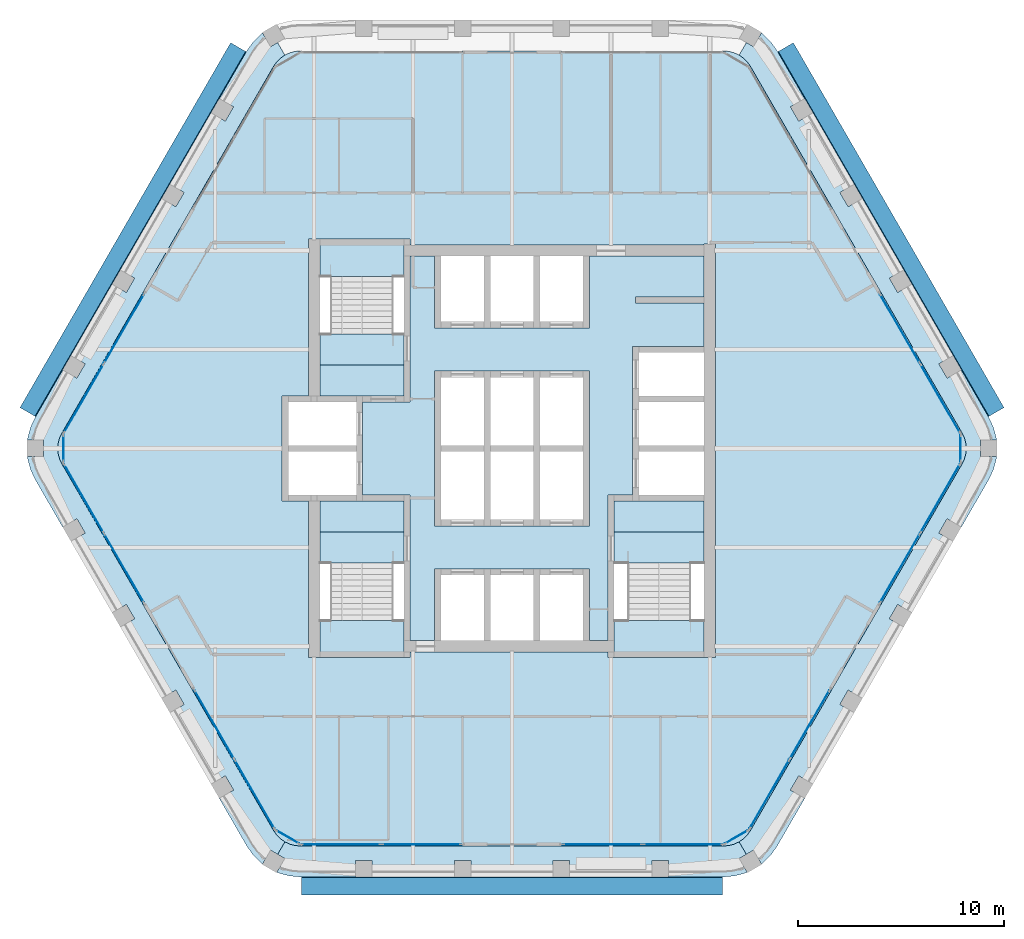
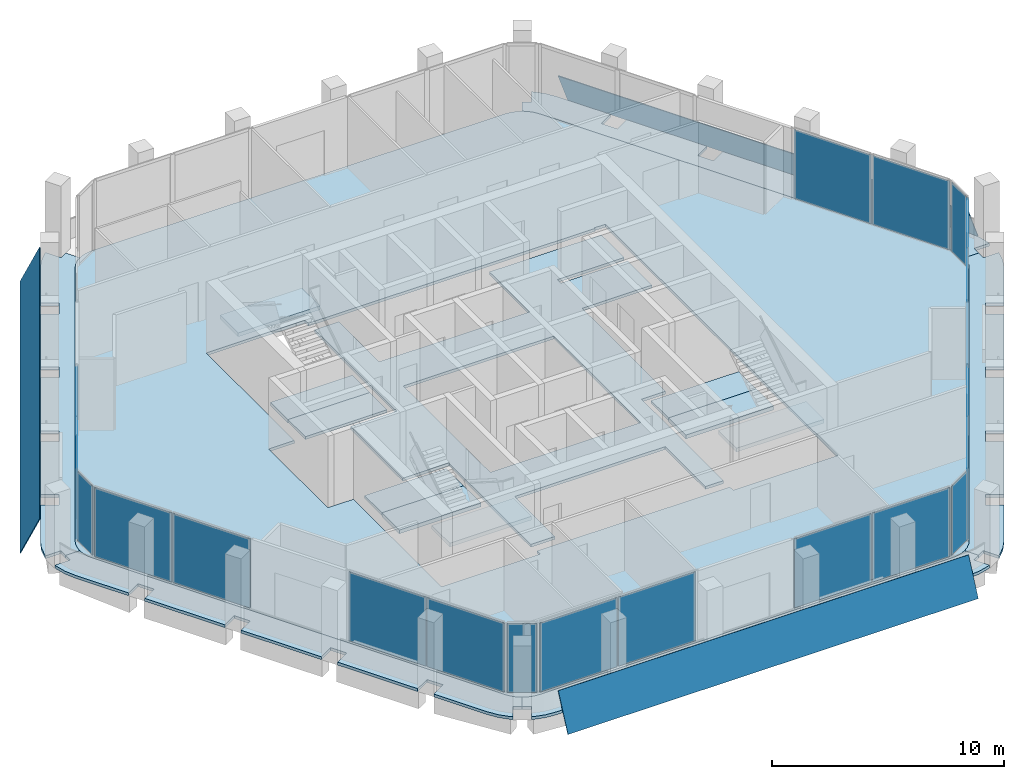
# One storey, part 6 of 13: 23 plates, 16 slabs, 15 elements without a shape of their own.
"""IFC4 building model written with IfcOpenShell, lengths in metres."""

from ifc_helpers import new_model, si_unit, direction, frame, origin, origin_2d, place, context, subcontext, project, spatial, polyline, rectangle, outline, extrude, material, layer, layer_set, type_object, element, aggregate, save


model = new_model("IFC4")

# Units and contexts
model_context = context("Model", 3, precision=1e-05, world=origin(), true_north=direction((0.0, 1.0)))
body_context = subcontext(model_context, "Body", "Model", "MODEL_VIEW")
ifc_project = project(units=[si_unit("LENGTHUNIT", "METRE"), si_unit("AREAUNIT", "SQUARE_METRE"), si_unit("VOLUMEUNIT", "CUBIC_METRE"), si_unit("PLANEANGLEUNIT", "RADIAN"), si_unit("MASSUNIT", "GRAM", prefix="KILO")], contexts=[model_context])

# Site, building, storey
site_placement = place(None, origin())
site = spatial("IfcSite", under=ifc_project, at=site_placement, CompositionType="ELEMENT")
building_placement = place(site_placement, origin())
building = spatial("IfcBuilding", under=site, at=building_placement, Name="Kolab Exchange Tower", CompositionType="ELEMENT")
storey_placement = place(building_placement, frame((0.0, 0.0, 230.60009765625)))
storey = spatial("IfcBuildingStorey", under=building, at=storey_placement, Name="L50", CompositionType="ELEMENT", Elevation=230.60009765625)

# Slabs
ifc_material_1 = material(Name="Concrete C35/45", Category="concrete")
ifc_layer_1 = layer(ifc_material_1, 0.14990234375)
ifc_layer_set_1 = layer_set([ifc_layer_1], Name="Concrete C35/45")
slab_type_1 = type_object("IfcSlabType", Name="FLOOR SLAB 150", PredefinedType="FLOOR", material=ifc_layer_set_1)
slab_1_placement = place(storey_placement, frame((0.0, 0.0, -0.150146484375)))
element("IfcSlab", 1, at=slab_1_placement, inside=storey, type_object=slab_type_1, Name="slab/L50/floor/0", PredefinedType="FLOOR", context=body_context, shape_type="SweptSolid", body=[
    extrude(outline(polyline([(11.56689453125, -18.53466796875), (21.8349609375, -0.75), (21.945556640625, -0.512939453125), (22.01318359375, -0.260498046875), (22.035888671875, 0.0), (22.01318359375, 0.260498046875), (21.945556640625, 0.512939453125), (21.8349609375, 0.75), (11.56689453125, 18.53466796875), (11.4169921875, 18.748779296875), (11.232177734375, 18.93359375), (11.01806640625, 19.083740234375), (10.781005859375, 19.194091796875), (10.5283203125, 19.26171875), (10.26806640625, 19.28466796875), (-10.26806640625, 19.28466796875), (-10.5283203125, 19.26171875), (-10.781005859375, 19.194091796875), (-11.01806640625, 19.083740234375), (-11.232177734375, 18.93359375), (-11.4169921875, 18.748779296875), (-11.56689453125, 18.53466796875), (-21.8349609375, 0.75), (-21.945556640625, 0.512939453125), (-22.01318359375, 0.260498046875), (-22.035888671875, 0.0), (-22.01318359375, -0.260498046875), (-21.945556640625, -0.512939453125), (-21.8349609375, -0.75), (-11.56689453125, -18.53466796875), (-11.4169921875, -18.748779296875), (-11.232177734375, -18.93359375), (-11.01806640625, -19.083740234375), (-10.781005859375, -19.194091796875), (-10.5283203125, -19.26171875), (-10.26806640625, -19.28466796875), (10.26806640625, -19.28466796875), (10.5283203125, -19.26171875), (10.781005859375, -19.194091796875), (11.01806640625, -19.083740234375), (11.232177734375, -18.93359375), (11.4169921875, -18.748779296875), (11.56689453125, -18.53466796875)]), holes=[polyline([(-9.324951171875, -10.14990234375), (-9.875, -10.14990234375), (-9.875, -2.550048828125), (-10.85009765625, -2.550048828125), (-11.14990234375, -2.550048828125), (-11.14990234375, 2.550048828125), (-10.85009765625, 2.550048828125), (-9.875, 2.550048828125), (-9.875, 10.14990234375), (-9.324951171875, 10.14990234375), (-5.25, 10.14990234375), (-4.949951171875, 10.14990234375), (-4.949951171875, 9.875), (9.324951171875, 9.875), (9.324951171875, 9.925048828125), (9.875, 9.925048828125), (9.875, -10.14990234375), (9.324951171875, -10.14990234375), (4.949951171875, -10.14990234375), (4.64990234375, -10.14990234375), (4.64990234375, -9.875), (-4.949951171875, -9.875), (-4.949951171875, -10.14990234375), (-5.25, -10.14990234375), (-9.324951171875, -10.14990234375)])]), origin(), (0.0, 0.0, 1.0), 0.150146484375),
])
slab_2_placement = place(storey_placement, frame((0.0, 0.0, -0.150146484375)))
element("IfcSlab", 2, at=slab_2_placement, inside=storey, type_object=slab_type_1, Name="slab/L50/floor/1", PredefinedType="FLOOR", context=body_context, shape_type="SweptSolid", body=[
    extrude(outline(polyline([(-4.949951171875, 9.324951171875), (-4.949951171875, 2.25), (-5.25, 2.25), (-7.25, 2.25), (-7.25, -2.25), (-5.25, -2.25), (-4.949951171875, -2.25), (-4.949951171875, -9.324951171875), (-3.75, -9.324951171875), (-3.75, -5.85009765625), (-3.449951171875, -5.85009765625), (-1.35009765625, -5.85009765625), (-1.050048828125, -5.85009765625), (1.050048828125, -5.85009765625), (1.35009765625, -5.85009765625), (3.449951171875, -5.85009765625), (3.75, -5.85009765625), (3.75, -9.324951171875), (4.64990234375, -9.324951171875), (4.64990234375, -2.25), (4.949951171875, -2.25), (5.85009765625, -2.25), (5.85009765625, 4.949951171875), (6.14990234375, 4.949951171875), (9.324951171875, 4.949951171875), (9.324951171875, 7.050048828125), (6.0, 7.050048828125), (6.0, 7.35009765625), (9.324951171875, 7.35009765625), (9.324951171875, 9.324951171875), (3.75, 9.324951171875), (3.75, 5.85009765625), (3.449951171875, 5.85009765625), (1.35009765625, 5.85009765625), (1.050048828125, 5.85009765625), (-1.050048828125, 5.85009765625), (-1.35009765625, 5.85009765625), (-3.449951171875, 5.85009765625), (-3.75, 5.85009765625), (-3.75, 9.324951171875), (-4.949951171875, 9.324951171875)]), holes=[polyline([(-3.449951171875, -3.75), (-3.75, -3.75), (-3.75, 3.75), (-3.449951171875, 3.75), (-1.35009765625, 3.75), (-1.050048828125, 3.75), (1.050048828125, 3.75), (1.35009765625, 3.75), (3.449951171875, 3.75), (3.75, 3.75), (3.75, -3.75), (3.449951171875, -3.75), (1.35009765625, -3.75), (1.050048828125, -3.75), (-1.050048828125, -3.75), (-1.35009765625, -3.75), (-3.449951171875, -3.75)])]), origin(), (0.0, 0.0, 1.0), 0.150146484375),
])
slab_3_placement = place(storey_placement, frame((0.0, 0.0, -0.150146484375)))
element("IfcSlab", 3, at=slab_3_placement, inside=storey, type_object=slab_type_1, Name="slab/L50/floor/2", PredefinedType="FLOOR", context=body_context, shape_type="SweptSolid", body=[
    extrude(outline(polyline([(4.949951171875, -2.550048828125), (4.949951171875, -4.050048828125), (9.324951171875, -4.050048828125), (9.324951171875, -2.550048828125), (6.14990234375, -2.550048828125), (5.85009765625, -2.550048828125), (4.949951171875, -2.550048828125)])), origin(), (0.0, 0.0, 1.0), 0.150146484375),
])
slab_4_placement = place(storey_placement, frame((0.0, 0.0, -0.150146484375)))
element("IfcSlab", 4, at=slab_4_placement, inside=storey, type_object=slab_type_1, Name="slab/L50/floor/3", PredefinedType="FLOOR", context=body_context, shape_type="SweptSolid", body=[
    extrude(outline(polyline([(-7.550048828125, -2.550048828125), (-9.324951171875, -2.550048828125), (-9.324951171875, -4.050048828125), (-5.25, -4.050048828125), (-5.25, -2.550048828125), (-7.25, -2.550048828125), (-7.550048828125, -2.550048828125)])), origin(), (0.0, 0.0, 1.0), 0.150146484375),
])
slab_5_placement = place(storey_placement, frame((0.0, 0.0, -0.150146484375)))
element("IfcSlab", 5, at=slab_5_placement, inside=storey, type_object=slab_type_1, Name="slab/L50/floor/4", PredefinedType="FLOOR", context=body_context, shape_type="SweptSolid", body=[
    extrude(outline(polyline([(-9.324951171875, 4.050048828125), (-9.324951171875, 2.550048828125), (-7.550048828125, 2.550048828125), (-7.25, 2.550048828125), (-5.25, 2.550048828125), (-5.25, 4.050048828125), (-9.324951171875, 4.050048828125)])), origin(), (0.0, 0.0, 1.0), 0.150146484375),
])
ifc_layer_2 = layer(ifc_material_1, 0.14990234375)
ifc_layer_set_2 = layer_set([ifc_layer_2], Name="Concrete C35/45")
slab_type_2 = type_object("IfcSlabType", Name="LOGGIA SLAB 150", PredefinedType="FLOOR", material=ifc_layer_set_2)
slab_6_placement = place(storey_placement, frame((0.0, 0.0, -0.150146484375)))
element("IfcSlab", 6, at=slab_6_placement, inside=storey, type_object=slab_type_2, Name="slab/L50/loggia/1-0", PredefinedType="FLOOR", context=body_context, shape_type="SweptSolid", body=[
    extrude(outline(polyline([(22.035888671875, 0.0), (22.73583984375, 0.0), (22.73583984375, 0.39990234375), (23.5009765625, 0.39990234375), (23.490234375, 0.52099609375), (23.35498046875, 1.026123046875), (23.134033203125, 1.5), (21.800048828125, 3.810546875), (21.107177734375, 3.410400390625), (20.707275390625, 4.103271484375), (21.39990234375, 4.50341796875), (19.39990234375, 7.967529296875), (18.707275390625, 7.5673828125), (18.30712890625, 8.26025390625), (19.0, 8.66015625), (17.0, 12.124267578125), (16.30712890625, 11.724365234375), (15.9072265625, 12.417236328125), (16.60009765625, 12.817138671875), (14.60009765625, 16.28125), (13.9072265625, 15.88134765625), (13.507080078125, 16.57421875), (14.199951171875, 16.97412109375), (12.865966796875, 19.28466796875), (12.566162109375, 19.712890625), (12.1962890625, 20.082763671875), (12.096923828125, 20.15234375), (11.71435546875, 19.48974609375), (11.367919921875, 19.68994140625), (11.01806640625, 19.083740234375), (11.232177734375, 18.93359375), (11.4169921875, 18.748779296875), (11.56689453125, 18.53466796875), (21.8349609375, 0.75), (21.945556640625, 0.512939453125), (22.01318359375, 0.260498046875), (22.035888671875, 0.0)])), origin(), (0.0, 0.0, 1.0), 0.150146484375),
])
slab_7_placement = place(storey_placement, frame((0.0, 0.0, -0.150146484375)))
element("IfcSlab", 7, at=slab_7_placement, inside=storey, type_object=slab_type_2, Name="slab/L50/loggia/2-0", PredefinedType="FLOOR", context=body_context, shape_type="SweptSolid", body=[
    extrude(outline(polyline([(12.865966796875, -19.28466796875), (14.199951171875, -16.97412109375), (13.507080078125, -16.57421875), (13.9072265625, -15.88134765625), (14.60009765625, -16.28125), (16.60009765625, -12.817138671875), (15.9072265625, -12.417236328125), (16.30712890625, -11.724365234375), (17.0, -12.124267578125), (19.0, -8.66015625), (18.30712890625, -8.26025390625), (18.707275390625, -7.5673828125), (19.39990234375, -7.967529296875), (21.39990234375, -4.50341796875), (20.707275390625, -4.103271484375), (21.107177734375, -3.410400390625), (21.800048828125, -3.810546875), (23.134033203125, -1.5), (23.35498046875, -1.026123046875), (23.490234375, -0.52099609375), (23.5009765625, -0.39990234375), (22.73583984375, -0.39990234375), (22.73583984375, 0.0), (22.035888671875, 0.0), (22.01318359375, -0.260498046875), (21.945556640625, -0.512939453125), (21.8349609375, -0.75), (11.56689453125, -18.53466796875), (11.4169921875, -18.748779296875), (11.232177734375, -18.93359375), (11.01806640625, -19.083740234375), (11.367919921875, -19.68994140625), (11.71435546875, -19.48974609375), (12.096923828125, -20.15234375), (12.1962890625, -20.082763671875), (12.566162109375, -19.712890625), (12.865966796875, -19.28466796875)])), origin(), (0.0, 0.0, 1.0), 0.150146484375),
])
slab_8_placement = place(storey_placement, frame((0.0, 0.0, -0.150146484375)))
element("IfcSlab", 8, at=slab_8_placement, inside=storey, type_object=slab_type_2, Name="slab/L50/loggia/3-0", PredefinedType="FLOOR", context=body_context, shape_type="SweptSolid", body=[
    extrude(outline(polyline([(-11.01806640625, -19.083740234375), (-11.367919921875, -19.68994140625), (-11.021484375, -19.889892578125), (-11.404052734375, -20.552490234375), (-11.2939453125, -20.603759765625), (-10.788818359375, -20.739013671875), (-10.26806640625, -20.78466796875), (-7.60009765625, -20.78466796875), (-7.60009765625, -19.984619140625), (-6.800048828125, -19.984619140625), (-6.800048828125, -20.78466796875), (-2.800048828125, -20.78466796875), (-2.800048828125, -19.984619140625), (-2.0, -19.984619140625), (-2.0, -20.78466796875), (2.0, -20.78466796875), (2.0, -19.984619140625), (2.800048828125, -19.984619140625), (2.800048828125, -20.78466796875), (6.800048828125, -20.78466796875), (6.800048828125, -19.984619140625), (7.60009765625, -19.984619140625), (7.60009765625, -20.78466796875), (10.26806640625, -20.78466796875), (10.788818359375, -20.739013671875), (11.2939453125, -20.603759765625), (11.404052734375, -20.552490234375), (11.021484375, -19.889892578125), (11.367919921875, -19.68994140625), (11.01806640625, -19.083740234375), (10.781005859375, -19.194091796875), (10.5283203125, -19.26171875), (10.26806640625, -19.28466796875), (-10.26806640625, -19.28466796875), (-10.5283203125, -19.26171875), (-10.781005859375, -19.194091796875), (-11.01806640625, -19.083740234375)])), origin(), (0.0, 0.0, 1.0), 0.150146484375),
])
slab_9_placement = place(storey_placement, frame((0.0, 0.0, -0.150146484375)))
element("IfcSlab", 9, at=slab_9_placement, inside=storey, type_object=slab_type_2, Name="slab/L50/loggia/4-0", PredefinedType="FLOOR", context=body_context, shape_type="SweptSolid", body=[
    extrude(outline(polyline([(-22.035888671875, 0.0), (-22.73583984375, 0.0), (-22.73583984375, -0.39990234375), (-23.5009765625, -0.39990234375), (-23.490234375, -0.52099609375), (-23.35498046875, -1.026123046875), (-23.134033203125, -1.5), (-21.800048828125, -3.810546875), (-21.107177734375, -3.410400390625), (-20.707275390625, -4.103271484375), (-21.39990234375, -4.50341796875), (-19.39990234375, -7.967529296875), (-18.707275390625, -7.5673828125), (-18.30712890625, -8.26025390625), (-19.0, -8.66015625), (-17.0, -12.124267578125), (-16.30712890625, -11.724365234375), (-15.9072265625, -12.417236328125), (-16.60009765625, -12.817138671875), (-14.60009765625, -16.28125), (-13.9072265625, -15.88134765625), (-13.507080078125, -16.57421875), (-14.199951171875, -16.97412109375), (-12.865966796875, -19.28466796875), (-12.566162109375, -19.712890625), (-12.1962890625, -20.082763671875), (-12.096923828125, -20.15234375), (-11.71435546875, -19.48974609375), (-11.367919921875, -19.68994140625), (-11.01806640625, -19.083740234375), (-11.232177734375, -18.93359375), (-11.4169921875, -18.748779296875), (-11.56689453125, -18.53466796875), (-21.8349609375, -0.75), (-21.945556640625, -0.512939453125), (-22.01318359375, -0.260498046875), (-22.035888671875, 0.0)])), origin(), (0.0, 0.0, 1.0), 0.150146484375),
])
slab_10_placement = place(storey_placement, frame((0.0, 0.0, -0.150146484375)))
element("IfcSlab", 10, at=slab_10_placement, inside=storey, type_object=slab_type_2, Name="slab/L50/loggia/5-0", PredefinedType="FLOOR", context=body_context, shape_type="SweptSolid", body=[
    extrude(outline(polyline([(-11.01806640625, 19.083740234375), (-11.367919921875, 19.68994140625), (-11.71435546875, 19.48974609375), (-12.096923828125, 20.15234375), (-12.1962890625, 20.082763671875), (-12.566162109375, 19.712890625), (-12.865966796875, 19.28466796875), (-14.199951171875, 16.97412109375), (-13.507080078125, 16.57421875), (-13.9072265625, 15.88134765625), (-14.60009765625, 16.28125), (-16.60009765625, 12.817138671875), (-15.9072265625, 12.417236328125), (-16.30712890625, 11.724365234375), (-17.0, 12.124267578125), (-19.0, 8.66015625), (-18.30712890625, 8.26025390625), (-18.707275390625, 7.5673828125), (-19.39990234375, 7.967529296875), (-21.39990234375, 4.50341796875), (-20.707275390625, 4.103271484375), (-21.107177734375, 3.410400390625), (-21.800048828125, 3.810546875), (-23.134033203125, 1.5), (-23.35498046875, 1.026123046875), (-23.490234375, 0.52099609375), (-23.5009765625, 0.39990234375), (-22.73583984375, 0.39990234375), (-22.73583984375, 0.0), (-22.035888671875, 0.0), (-22.01318359375, 0.260498046875), (-21.945556640625, 0.512939453125), (-21.8349609375, 0.75), (-11.56689453125, 18.53466796875), (-11.4169921875, 18.748779296875), (-11.232177734375, 18.93359375), (-11.01806640625, 19.083740234375)])), origin(), (0.0, 0.0, 1.0), 0.150146484375),
])

# Plates
ifc_material_2 = material(Name="Laminated glass, clear", Category="glass")
ifc_layer_3 = layer(ifc_material_2, 0.0400390625)
ifc_layer_set_3 = layer_set([ifc_layer_3], Name="Laminated glass, clear")
plate_type_1 = type_object("IfcPlateType", Name="OUTER SKIN LAMINATED GLASS SHEET 40", PredefinedType="SHEET", material=ifc_layer_set_3)
plate_1_placement = place(storey_placement, frame((13.6494140625, 19.67919921875, -0.68310546875), z_axis=(0.784867306279, 0.453141202853, 0.42266578027), x_axis=(0.499997422316, -0.866026892004, 1.98158e-06)))
element("IfcPlate", 11, at=plate_1_placement, inside=storey, type_object=plate_type_1, Name="Outer skin", PredefinedType="SHEET", context=body_context, shape_type="SweptSolid", body=[
    extrude(outline(polyline([(0.0, 0.0), (20.435802623779974, 0.0), (20.435856947346743, -1.9858686247089181), (-6.774611641384307e-05, -1.9859579901459246), (0.0, 0.0)])), origin(), (0.0, 0.0, -1.0), 0.0400390625),
])
plate_2_placement = place(storey_placement, frame((10.218017578125, -21.66015625, -0.68310546875), z_axis=(0.0, -0.906289895601, 0.422656627927), x_axis=(-1.0, 0.0, 0.0)))
element("IfcPlate", 12, at=plate_2_placement, inside=storey, type_object=plate_type_1, Name="Outer skin", PredefinedType="SHEET", context=body_context, shape_type="SweptSolid", body=[
    extrude(outline(polyline([(0.0, 0.0), (20.43603515625, 0.0), (20.43603515625, -1.9859039543914263), (0.0, -1.9859039543914263), (0.0, 0.0)])), origin(), (0.0, 0.0, -1.0), 0.0400390625),
])
plate_3_placement = place(storey_placement, frame((-23.8671875, 1.981201171875, -0.68310546875), z_axis=(-0.784867306279, 0.453141202853, 0.42266578027), x_axis=(0.499997422316, 0.866026892004, -1.98158e-06)))
element("IfcPlate", 13, at=plate_3_placement, inside=storey, type_object=plate_type_1, Name="Outer skin", PredefinedType="SHEET", context=body_context, shape_type="SweptSolid", body=[
    extrude(outline(polyline([(0.0, 0.0), (20.435802623779974, 0.0), (20.43587036989639, -1.9859579901459246), (-5.432356676878094e-05, -1.985868624708918), (0.0, 0.0)])), origin(), (0.0, 0.0, -1.0), 0.0400390625),
])

# Stair, slabs
ifc_material_3 = material(Name="Concrete C50/60", Category="concrete")
stair_type_1 = type_object("IfcStairType", Name="STAIR ST1 RISER 177.3", PredefinedType="HALF_TURN_STAIR", material=ifc_material_3)
stair_1_placement = place(storey_placement, origin())
stair_1 = element("IfcStair", 14, at=stair_1_placement, inside=storey, type_object=stair_type_1, Name="Stair 1", PredefinedType="HALF_TURN_STAIR")
ifc_layer_4 = layer(ifc_material_3, 0.199951171875)
ifc_layer_set_4 = layer_set([ifc_layer_4], Name="Concrete C50/60")
slab_type_3 = type_object("IfcSlabType", Name="STAIR LANDING 200", PredefinedType="LANDING", material=ifc_layer_set_4)
slab_11_placement = place(storey_placement, frame((0.0, 0.0, -0.2001953125)))
slab_11 = element("IfcSlab", 15, at=slab_11_placement, type_object=slab_type_3, Name="ST1 landing 1", PredefinedType="LANDING", context=body_context, shape_type="SweptSolid", body=[
    extrude(outline(polyline([(-9.324951171875, 4.050048828125), (-5.25, 4.050048828125), (-5.25, 5.550048828125), (-9.324951171875, 5.550048828125), (-9.324951171875, 4.050048828125)])), origin(), (0.0, 0.0, 1.0), 0.2001953125),
])
slab_12_placement = place(storey_placement, frame((0.0, 0.0, 1.75)))
slab_12 = element("IfcSlab", 16, at=slab_12_placement, type_object=slab_type_3, Name="ST1 landing 2", PredefinedType="LANDING", context=body_context, shape_type="SweptSolid", body=[
    extrude(outline(polyline([(-9.324951171875, 8.35009765625), (-5.25, 8.35009765625), (-5.25, 9.909912109375), (-9.324951171875, 9.909912109375), (-9.324951171875, 8.35009765625)])), origin(), (0.0, 0.0, 1.0), 0.199951171875),
])
aggregate(stair_1, [slab_11, slab_12])

stair_type_2 = type_object("IfcStairType", Name="STAIR ST3 RISER 177.3", PredefinedType="HALF_TURN_STAIR", material=ifc_material_3)
stair_2_placement = place(storey_placement, origin())
stair_2 = element("IfcStair", 17, at=stair_2_placement, inside=storey, type_object=stair_type_2, Name="Stair 3", PredefinedType="HALF_TURN_STAIR")
slab_13_placement = place(storey_placement, frame((0.0, 0.0, -0.2001953125)))
slab_13 = element("IfcSlab", 18, at=slab_13_placement, type_object=slab_type_3, Name="ST3 landing 1", PredefinedType="LANDING", context=body_context, shape_type="SweptSolid", body=[
    extrude(outline(polyline([(-9.324951171875, -5.550048828125), (-5.25, -5.550048828125), (-5.25, -4.050048828125), (-9.324951171875, -4.050048828125), (-9.324951171875, -5.550048828125)])), origin(), (0.0, 0.0, 1.0), 0.2001953125),
])
slab_14_placement = place(storey_placement, frame((0.0, 0.0, 1.75)))
slab_14 = element("IfcSlab", 19, at=slab_14_placement, type_object=slab_type_3, Name="ST3 landing 2", PredefinedType="LANDING", context=body_context, shape_type="SweptSolid", body=[
    extrude(outline(polyline([(-9.324951171875, -9.909912109375), (-5.25, -9.909912109375), (-5.25, -8.35009765625), (-9.324951171875, -8.35009765625), (-9.324951171875, -9.909912109375)])), origin(), (0.0, 0.0, 1.0), 0.199951171875),
])
aggregate(stair_2, [slab_13, slab_14])

stair_type_3 = type_object("IfcStairType", Name="STAIR ST2 RISER 177.3", PredefinedType="HALF_TURN_STAIR", material=ifc_material_3)
stair_3_placement = place(storey_placement, origin())
stair_3 = element("IfcStair", 20, at=stair_3_placement, inside=storey, type_object=stair_type_3, Name="Stair 2", PredefinedType="HALF_TURN_STAIR")
slab_15_placement = place(storey_placement, frame((0.0, 0.0, -0.2001953125)))
slab_15 = element("IfcSlab", 21, at=slab_15_placement, type_object=slab_type_3, Name="ST2 landing 1", PredefinedType="LANDING", context=body_context, shape_type="SweptSolid", body=[
    extrude(outline(polyline([(4.949951171875, -5.550048828125), (9.324951171875, -5.550048828125), (9.324951171875, -4.050048828125), (4.949951171875, -4.050048828125), (4.949951171875, -5.550048828125)])), origin(), (0.0, 0.0, 1.0), 0.2001953125),
])
slab_16_placement = place(storey_placement, frame((0.0, 0.0, 1.75)))
slab_16 = element("IfcSlab", 22, at=slab_16_placement, type_object=slab_type_3, Name="ST2 landing 2", PredefinedType="LANDING", context=body_context, shape_type="SweptSolid", body=[
    extrude(outline(polyline([(4.949951171875, -9.909912109375), (9.324951171875, -9.909912109375), (9.324951171875, -8.35009765625), (4.949951171875, -8.35009765625), (4.949951171875, -9.909912109375)])), origin(), (0.0, 0.0, 1.0), 0.199951171875),
])
aggregate(stair_3, [slab_15, slab_16])

# Curtain wall, plates
ifc_material_4 = material(Name="Aluminium EN AW-6063 T6", Category="aluminium")
curtain_wall_type = type_object("IfcCurtainWallType", Name="UNITISED HIGH ZONE CURTAIN WALL", PredefinedType="NOTDEFINED", material=ifc_material_4)
curtain_wall_1_placement = place(storey_placement, origin())
curtain_wall_1 = element("IfcCurtainWall", 23, at=curtain_wall_1_placement, inside=storey, type_object=curtain_wall_type, Name="cw/L50/F2-2", PredefinedType="NOTDEFINED")
ifc_material_5 = material(Name="Clear insulated glazing unit", Category="glass")
ifc_layer_5 = layer(ifc_material_5, 0.030029296875)
ifc_layer_set_5 = layer_set([ifc_layer_5], Name="Clear insulated glazing unit")
plate_type_2 = type_object("IfcPlateType", Name="UNITISED HIGH ZONE GLASS PANEL 30", PredefinedType="CURTAIN_PANEL", material=ifc_layer_set_5)
plate_4_placement = place(storey_placement, frame((18.82275390625, 5.807373046875, 0.06005859375), z_axis=(0.0, 0.0, 1.0), x_axis=(0.499999936366, -0.866025440524, 0.0)))
plate_4 = element("IfcPlate", 24, at=plate_4_placement, type_object=plate_type_2, Name="CW4 panel 1.1", PredefinedType="CURTAIN_PANEL", context=body_context, shape_type="SweptSolid", body=[
    extrude(rectangle(XDim=3.843994140625, YDim=0.030029296875, at=origin_2d()), origin(), (0.0, 0.0, 1.0), 3.6298828125),
])
plate_5_placement = place(storey_placement, frame((20.774658203125, 2.426513671875, 0.06005859375), z_axis=(0.0, 0.0, 1.0), x_axis=(0.499999936366, -0.866025440524, 0.0)))
plate_5 = element("IfcPlate", 25, at=plate_5_placement, type_object=plate_type_2, Name="CW4 panel 2.1", PredefinedType="CURTAIN_PANEL", context=body_context, shape_type="SweptSolid", body=[
    extrude(rectangle(XDim=3.843994140625, YDim=0.030029296875, at=origin_2d()), origin(), (0.0, 0.0, 1.0), 3.6298828125),
])
aggregate(curtain_wall_1, [plate_4, plate_5])

curtain_wall_2_placement = place(storey_placement, origin())
curtain_wall_2 = element("IfcCurtainWall", 26, at=curtain_wall_2_placement, inside=storey, type_object=curtain_wall_type, Name="cw/L50/F3-1", PredefinedType="NOTDEFINED")
plate_6_placement = place(storey_placement, frame((20.774658203125, -2.426513671875, 0.06005859375), z_axis=(0.0, 0.0, 1.0), x_axis=(-0.499999936366, -0.866025440524, 0.0)))
plate_6 = element("IfcPlate", 27, at=plate_6_placement, type_object=plate_type_2, Name="CW4 panel 1.1", PredefinedType="CURTAIN_PANEL", context=body_context, shape_type="SweptSolid", body=[
    extrude(rectangle(XDim=3.843994140625, YDim=0.030029296875, at=origin_2d()), origin(), (0.0, 0.0, 1.0), 3.6298828125),
])
plate_7_placement = place(storey_placement, frame((18.82275390625, -5.807373046875, 0.06005859375), z_axis=(0.0, 0.0, 1.0), x_axis=(-0.499999936366, -0.866025440524, 0.0)))
plate_7 = element("IfcPlate", 28, at=plate_7_placement, type_object=plate_type_2, Name="CW4 panel 2.1", PredefinedType="CURTAIN_PANEL", context=body_context, shape_type="SweptSolid", body=[
    extrude(rectangle(XDim=3.843994140625, YDim=0.030029296875, at=origin_2d()), origin(), (0.0, 0.0, 1.0), 3.6298828125),
])
aggregate(curtain_wall_2, [plate_6, plate_7])

curtain_wall_3_placement = place(storey_placement, origin())
curtain_wall_3 = element("IfcCurtainWall", 29, at=curtain_wall_3_placement, inside=storey, type_object=curtain_wall_type, Name="cw/L50/F3-2", PredefinedType="NOTDEFINED")
plate_8_placement = place(storey_placement, frame((14.440673828125, -13.397216796875, 0.06005859375), z_axis=(0.0, 0.0, 1.0), x_axis=(-0.500000031681, -0.866025385493, 0.0)))
plate_8 = element("IfcPlate", 30, at=plate_8_placement, type_object=plate_type_2, Name="CW4 panel 1.1", PredefinedType="CURTAIN_PANEL", context=body_context, shape_type="SweptSolid", body=[
    extrude(rectangle(XDim=3.843994140625, YDim=0.030029296875, at=origin_2d()), origin(), (0.0, 0.0, 1.0), 3.6298828125),
])
plate_9_placement = place(storey_placement, frame((12.48876953125, -16.778076171875, 0.06005859375), z_axis=(0.0, 0.0, 1.0), x_axis=(-0.500000031681, -0.866025385493, 0.0)))
plate_9 = element("IfcPlate", 31, at=plate_9_placement, type_object=plate_type_2, Name="CW4 panel 2.1", PredefinedType="CURTAIN_PANEL", context=body_context, shape_type="SweptSolid", body=[
    extrude(rectangle(XDim=3.843994140625, YDim=0.030029296875, at=origin_2d()), origin(), (0.0, 0.0, 1.0), 3.6298828125),
])
aggregate(curtain_wall_3, [plate_8, plate_9])

curtain_wall_4_placement = place(storey_placement, origin())
curtain_wall_4 = element("IfcCurtainWall", 32, at=curtain_wall_4_placement, inside=storey, type_object=curtain_wall_type, Name="cw/L50/F4-1", PredefinedType="NOTDEFINED")
plate_10_placement = place(storey_placement, frame((8.285888671875, -19.20458984375, 0.06005859375), z_axis=(0.0, 0.0, 1.0), x_axis=(-1.0, 0.0, 0.0)))
plate_10 = element("IfcPlate", 33, at=plate_10_placement, type_object=plate_type_2, Name="CW4 panel 1.1", PredefinedType="CURTAIN_PANEL", context=body_context, shape_type="SweptSolid", body=[
    extrude(rectangle(XDim=3.843994140625, YDim=0.030029296875, at=origin_2d()), origin(), (0.0, 0.0, 1.0), 3.6298828125),
])
plate_11_placement = place(storey_placement, frame((4.382080078125, -19.20458984375, 0.06005859375), z_axis=(0.0, 0.0, 1.0), x_axis=(-1.0, 0.0, 0.0)))
plate_11 = element("IfcPlate", 34, at=plate_11_placement, type_object=plate_type_2, Name="CW4 panel 2.1", PredefinedType="CURTAIN_PANEL", context=body_context, shape_type="SweptSolid", body=[
    extrude(rectangle(XDim=3.843994140625, YDim=0.030029296875, at=origin_2d()), origin(), (0.0, 0.0, 1.0), 3.6298828125),
])
aggregate(curtain_wall_4, [plate_10, plate_11])

curtain_wall_5_placement = place(storey_placement, origin())
curtain_wall_5 = element("IfcCurtainWall", 35, at=curtain_wall_5_placement, inside=storey, type_object=curtain_wall_type, Name="cw/L50/F4-2", PredefinedType="NOTDEFINED")
plate_12_placement = place(storey_placement, frame((-4.382080078125, -19.20458984375, 0.06005859375), z_axis=(0.0, 0.0, 1.0), x_axis=(-1.0, 0.0, 0.0)))
plate_12 = element("IfcPlate", 36, at=plate_12_placement, type_object=plate_type_2, Name="CW4 panel 1.1", PredefinedType="CURTAIN_PANEL", context=body_context, shape_type="SweptSolid", body=[
    extrude(rectangle(XDim=3.843994140625, YDim=0.030029296875, at=origin_2d()), origin(), (0.0, 0.0, 1.0), 3.6298828125),
])
plate_13_placement = place(storey_placement, frame((-8.285888671875, -19.20458984375, 0.06005859375), z_axis=(0.0, 0.0, 1.0), x_axis=(-1.0, 0.0, 0.0)))
plate_13 = element("IfcPlate", 37, at=plate_13_placement, type_object=plate_type_2, Name="CW4 panel 2.1", PredefinedType="CURTAIN_PANEL", context=body_context, shape_type="SweptSolid", body=[
    extrude(rectangle(XDim=3.843994140625, YDim=0.030029296875, at=origin_2d()), origin(), (0.0, 0.0, 1.0), 3.6298828125),
])
aggregate(curtain_wall_5, [plate_12, plate_13])

curtain_wall_6_placement = place(storey_placement, origin())
curtain_wall_6 = element("IfcCurtainWall", 38, at=curtain_wall_6_placement, inside=storey, type_object=curtain_wall_type, Name="cw/L50/F5-1", PredefinedType="NOTDEFINED")
plate_14_placement = place(storey_placement, frame((-12.48876953125, -16.778076171875, 0.06005859375), z_axis=(0.0, 0.0, 1.0), x_axis=(-0.500000031681, 0.866025385493, 0.0)))
plate_14 = element("IfcPlate", 39, at=plate_14_placement, type_object=plate_type_2, Name="CW4 panel 1.1", PredefinedType="CURTAIN_PANEL", context=body_context, shape_type="SweptSolid", body=[
    extrude(rectangle(XDim=3.843994140625, YDim=0.030029296875, at=origin_2d()), origin(), (0.0, 0.0, 1.0), 3.6298828125),
])
plate_15_placement = place(storey_placement, frame((-14.440673828125, -13.397216796875, 0.06005859375), z_axis=(0.0, 0.0, 1.0), x_axis=(-0.500000031681, 0.866025385493, 0.0)))
plate_15 = element("IfcPlate", 40, at=plate_15_placement, type_object=plate_type_2, Name="CW4 panel 2.1", PredefinedType="CURTAIN_PANEL", context=body_context, shape_type="SweptSolid", body=[
    extrude(rectangle(XDim=3.843994140625, YDim=0.030029296875, at=origin_2d()), origin(), (0.0, 0.0, 1.0), 3.6298828125),
])
aggregate(curtain_wall_6, [plate_14, plate_15])

curtain_wall_7_placement = place(storey_placement, origin())
curtain_wall_7 = element("IfcCurtainWall", 41, at=curtain_wall_7_placement, inside=storey, type_object=curtain_wall_type, Name="cw/L50/F5-2", PredefinedType="NOTDEFINED")
plate_16_placement = place(storey_placement, frame((-18.82275390625, -5.807373046875, 0.06005859375), z_axis=(0.0, 0.0, 1.0), x_axis=(-0.499999936366, 0.866025440524, 0.0)))
plate_16 = element("IfcPlate", 42, at=plate_16_placement, type_object=plate_type_2, Name="CW4 panel 1.1", PredefinedType="CURTAIN_PANEL", context=body_context, shape_type="SweptSolid", body=[
    extrude(rectangle(XDim=3.843994140625, YDim=0.030029296875, at=origin_2d()), origin(), (0.0, 0.0, 1.0), 3.6298828125),
])
plate_17_placement = place(storey_placement, frame((-20.774658203125, -2.426513671875, 0.06005859375), z_axis=(0.0, 0.0, 1.0), x_axis=(-0.499999936366, 0.866025440524, 0.0)))
plate_17 = element("IfcPlate", 43, at=plate_17_placement, type_object=plate_type_2, Name="CW4 panel 2.1", PredefinedType="CURTAIN_PANEL", context=body_context, shape_type="SweptSolid", body=[
    extrude(rectangle(XDim=3.843994140625, YDim=0.030029296875, at=origin_2d()), origin(), (0.0, 0.0, 1.0), 3.6298828125),
])
aggregate(curtain_wall_7, [plate_16, plate_17])

curtain_wall_8_placement = place(storey_placement, origin())
curtain_wall_8 = element("IfcCurtainWall", 44, at=curtain_wall_8_placement, inside=storey, type_object=curtain_wall_type, Name="cw/L50/F6-1", PredefinedType="NOTDEFINED")
plate_18_placement = place(storey_placement, frame((-20.774658203125, 2.426513671875, 0.06005859375), z_axis=(0.0, 0.0, 1.0), x_axis=(0.499999936366, 0.866025440524, 0.0)))
plate_18 = element("IfcPlate", 45, at=plate_18_placement, type_object=plate_type_2, Name="CW4 panel 1.1", PredefinedType="CURTAIN_PANEL", context=body_context, shape_type="SweptSolid", body=[
    extrude(rectangle(XDim=3.843994140625, YDim=0.030029296875, at=origin_2d()), origin(), (0.0, 0.0, 1.0), 3.6298828125),
])
plate_19_placement = place(storey_placement, frame((-18.82275390625, 5.807373046875, 0.06005859375), z_axis=(0.0, 0.0, 1.0), x_axis=(0.499999936366, 0.866025440524, 0.0)))
plate_19 = element("IfcPlate", 46, at=plate_19_placement, type_object=plate_type_2, Name="CW4 panel 2.1", PredefinedType="CURTAIN_PANEL", context=body_context, shape_type="SweptSolid", body=[
    extrude(rectangle(XDim=3.843994140625, YDim=0.030029296875, at=origin_2d()), origin(), (0.0, 0.0, 1.0), 3.6298828125),
])
aggregate(curtain_wall_8, [plate_18, plate_19])

# Curtain wall, plate
curtain_wall_9_placement = place(storey_placement, origin())
curtain_wall_9 = element("IfcCurtainWall", 47, at=curtain_wall_9_placement, inside=storey, type_object=curtain_wall_type, Name="cw/L50/F2F3-corner", PredefinedType="NOTDEFINED")
plate_20_placement = place(storey_placement, frame((21.765625, 0.0, 0.06005859375), z_axis=(0.0, 0.0, 1.0), x_axis=(0.0, -1.0, 0.0)))
plate_20 = element("IfcPlate", 48, at=plate_20_placement, type_object=plate_type_2, Name="CW4 panel 1.1", PredefinedType="CURTAIN_PANEL", context=body_context, shape_type="SweptSolid", body=[
    extrude(rectangle(XDim=1.300048828125, YDim=0.030029296875, at=origin_2d()), origin(), (0.0, 0.0, 1.0), 3.6298828125),
])
aggregate(curtain_wall_9, [plate_20])

curtain_wall_10_placement = place(storey_placement, origin())
curtain_wall_10 = element("IfcCurtainWall", 49, at=curtain_wall_10_placement, inside=storey, type_object=curtain_wall_type, Name="cw/L50/F3F4-corner", PredefinedType="NOTDEFINED")
plate_21_placement = place(storey_placement, frame((10.8828125, -18.849609375, 0.06005859375), z_axis=(0.0, 0.0, 1.0), x_axis=(-0.866025390869, -0.50000002237, 0.0)))
plate_21 = element("IfcPlate", 50, at=plate_21_placement, type_object=plate_type_2, Name="CW4 panel 1.1", PredefinedType="CURTAIN_PANEL", context=body_context, shape_type="SweptSolid", body=[
    extrude(rectangle(XDim=1.300048828125, YDim=0.030029296875, at=origin_2d()), origin(), (0.0, 0.0, 1.0), 3.6298828125),
])
aggregate(curtain_wall_10, [plate_21])

curtain_wall_11_placement = place(storey_placement, origin())
curtain_wall_11 = element("IfcCurtainWall", 51, at=curtain_wall_11_placement, inside=storey, type_object=curtain_wall_type, Name="cw/L50/F4F5-corner", PredefinedType="NOTDEFINED")
plate_22_placement = place(storey_placement, frame((-10.8828125, -18.849609375, 0.06005859375), z_axis=(0.0, 0.0, 1.0), x_axis=(-0.866025390869, 0.50000002237, 0.0)))
plate_22 = element("IfcPlate", 52, at=plate_22_placement, type_object=plate_type_2, Name="CW4 panel 1.1", PredefinedType="CURTAIN_PANEL", context=body_context, shape_type="SweptSolid", body=[
    extrude(rectangle(XDim=1.300048828125, YDim=0.030029296875, at=origin_2d()), origin(), (0.0, 0.0, 1.0), 3.6298828125),
])
aggregate(curtain_wall_11, [plate_22])

curtain_wall_12_placement = place(storey_placement, origin())
curtain_wall_12 = element("IfcCurtainWall", 53, at=curtain_wall_12_placement, inside=storey, type_object=curtain_wall_type, Name="cw/L50/F5F6-corner", PredefinedType="NOTDEFINED")
plate_23_placement = place(storey_placement, frame((-21.765625, 0.0, 0.06005859375), z_axis=(0.0, 0.0, 1.0), x_axis=(0.0, 1.0, 0.0)))
plate_23 = element("IfcPlate", 54, at=plate_23_placement, type_object=plate_type_2, Name="CW4 panel 1.1", PredefinedType="CURTAIN_PANEL", context=body_context, shape_type="SweptSolid", body=[
    extrude(rectangle(XDim=1.300048828125, YDim=0.030029296875, at=origin_2d()), origin(), (0.0, 0.0, 1.0), 3.6298828125),
])
aggregate(curtain_wall_12, [plate_23])

save(model, "model.ifc")
